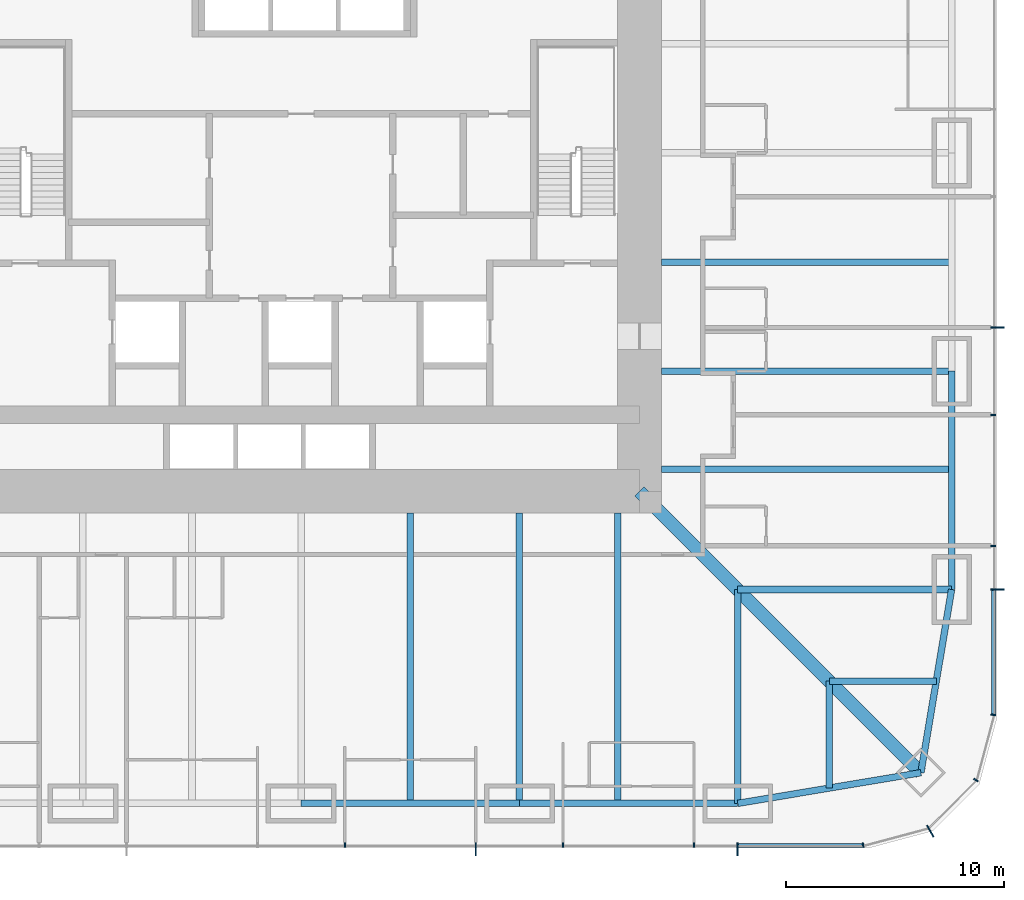
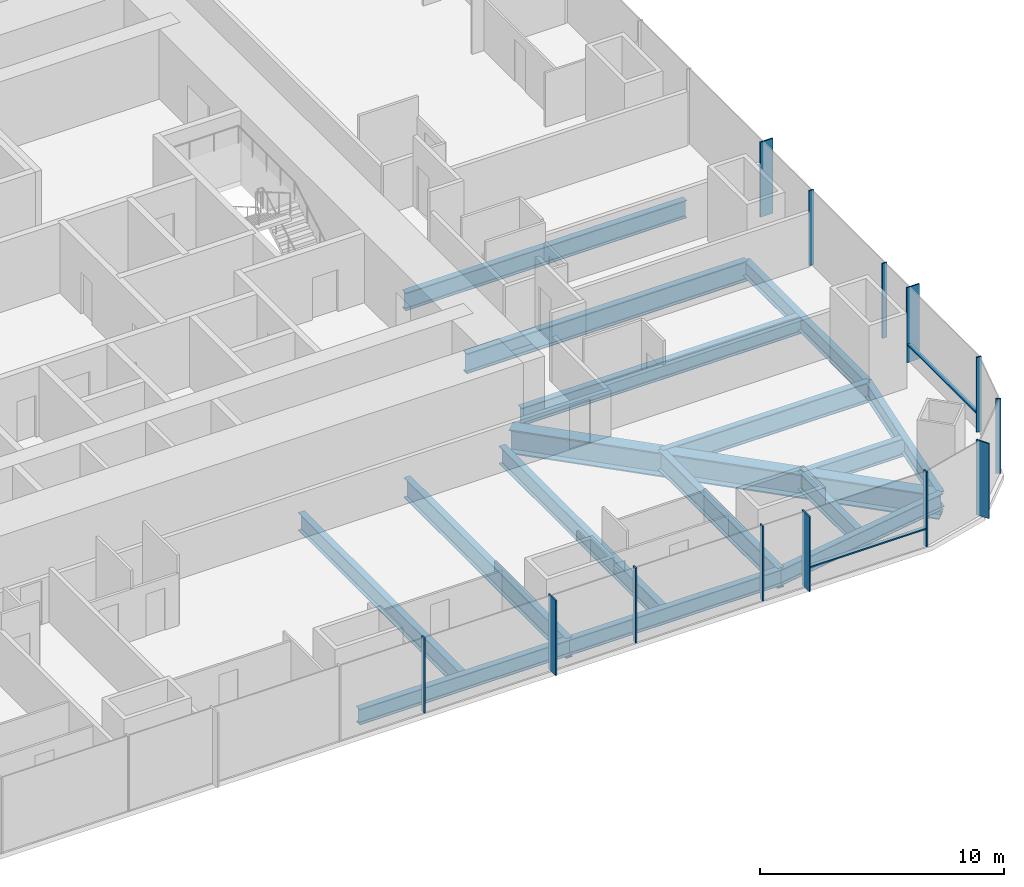
# One storey, part 4 of 17: 16 beams, 15 members, 3 elements without a shape of their own.
"""IFC4 building model written with IfcOpenShell, lengths in metres."""

from ifc_helpers import new_model, si_unit, direction, frame, origin, origin_2d, place, context, subcontext, project, spatial, rectangle, i_section, extrude, material, material_profile, profile_set, type_object, element, aggregate, save


model = new_model("IFC4")

# Units and contexts
model_context = context("Model", 3, precision=1e-05, world=origin(), true_north=direction((0.0, 1.0)))
body_context = subcontext(model_context, "Body", "Model", "MODEL_VIEW")
ifc_project = project(units=[si_unit("LENGTHUNIT", "METRE"), si_unit("AREAUNIT", "SQUARE_METRE"), si_unit("VOLUMEUNIT", "CUBIC_METRE"), si_unit("PLANEANGLEUNIT", "RADIAN"), si_unit("MASSUNIT", "GRAM", prefix="KILO")], contexts=[model_context])

# Site, building, storey
site_placement = place(None, origin())
site = spatial("IfcSite", under=ifc_project, at=site_placement, CompositionType="ELEMENT")
building_placement = place(site_placement, origin())
building = spatial("IfcBuilding", under=site, at=building_placement, Name="Khuree Lantern Residences", CompositionType="ELEMENT")
storey_placement = place(building_placement, frame((0.0, 0.0, 36.0)))
storey = spatial("IfcBuildingStorey", under=building, at=storey_placement, Name="L08", CompositionType="ELEMENT", Elevation=36.0)

# Beams
ifc_material_1 = material(Name="Steel S355", Category="steel")
ifc_material_profile_1 = material_profile(ifc_material_1, i_section(OverallWidth=0.300048828125, OverallDepth=0.889892578125, WebThickness=0.01611328125, FlangeThickness=0.030029296875, FilletRadius=0.030029296875, at=origin_2d()), Name="HE 900 A")
ifc_profile_set_1 = profile_set([ifc_material_profile_1], Name="Steel S355")
beam_type_1 = type_object("IfcBeamType", Name="B-12 SECONDARY BEAM HE 900 A", PredefinedType="BEAM", material=ifc_profile_set_1)
for number, where, z_axis, x_axis, name in (
    (1, (29.800048828125, -5.0, -0.695068359375), (-1.0, 0.0, 0.0), (0.0, -1.0, 0.0), "Secondary beam E4"),
    (2, (29.800048828125, -14.5, -0.695068359375), (-1.0, 0.0, 0.0), (0.0, -1.0, 0.0), "Secondary beam E5"),
):
    element("IfcBeam", number, at=place(storey_placement, frame(where, z_axis=z_axis, x_axis=x_axis)), inside=storey, type_object=beam_type_1, Name=name, PredefinedType="BEAM", context=body_context, shape_type="SweptSolid", body=[
        extrude(i_section(OverallWidth=0.300048828125, OverallDepth=0.889892578125, WebThickness=0.01611328125, FlangeThickness=0.030029296875, FilletRadius=0.030029296875, at=origin_2d()), origin(), (0.0, 0.0, 1.0), 13.300048828125),
    ])
for number, where, z_axis, x_axis, name in (
    (3, (29.09716796875, -24.197021484375, -0.695068359375), (-1.0, 0.0, 0.0), (0.0, -1.0, 0.0), "Secondary beam E6"),
    (4, (24.197021484375, -29.09716796875, -0.695068359375), (0.0, 1.0, 0.0), (-1.0, 0.0, 0.0), "Secondary beam S1"),
):
    element("IfcBeam", number, at=place(storey_placement, frame(where, z_axis=z_axis, x_axis=x_axis)), inside=storey, type_object=beam_type_1, Name=name, PredefinedType="BEAM", context=body_context, shape_type="SweptSolid", body=[
        extrude(i_section(OverallWidth=0.300048828125, OverallDepth=0.889892578125, WebThickness=0.01611328125, FlangeThickness=0.030029296875, FilletRadius=0.030029296875, at=origin_2d()), origin(), (0.0, 0.0, 1.0), 4.900146484375),
    ])
for number, where, z_axis, x_axis, name in (
    (5, (14.5, -29.800048828125, -0.695068359375), (0.0, 1.0, 0.0), (-1.0, 0.0, 0.0), "Secondary beam S2"),
    (6, (5.0, -29.800048828125, -0.695068359375), (0.0, 1.0, 0.0), (-1.0, 0.0, 0.0), "Secondary beam S3"),
):
    element("IfcBeam", number, at=place(storey_placement, frame(where, z_axis=z_axis, x_axis=x_axis)), inside=storey, type_object=beam_type_1, Name=name, PredefinedType="BEAM", context=body_context, shape_type="SweptSolid", body=[
        extrude(i_section(OverallWidth=0.300048828125, OverallDepth=0.889892578125, WebThickness=0.01611328125, FlangeThickness=0.030029296875, FilletRadius=0.030029296875, at=origin_2d()), origin(), (0.0, 0.0, 1.0), 13.300048828125),
    ])
ifc_material_profile_2 = material_profile(ifc_material_1, i_section(OverallWidth=0.300048828125, OverallDepth=0.7900390625, WebThickness=0.014892578125, FlangeThickness=0.028076171875, FilletRadius=0.030029296875, at=origin_2d()), Name="HE 800 A")
ifc_profile_set_2 = profile_set([ifc_material_profile_2], Name="Steel S355")
beam_type_2 = type_object("IfcBeamType", Name="E-12 SPANDREL BEAM HE 800 A", PredefinedType="SPANDREL", material=ifc_profile_set_2)
beam_1_placement = place(storey_placement, frame((29.800048828125, -10.0, -0.64501953125), z_axis=(0.0, -1.0, 0.0), x_axis=(1.0, 0.0, 0.0)))
element("IfcBeam", 7, at=beam_1_placement, inside=storey, type_object=beam_type_2, Name="Spandrel beam E5", PredefinedType="SPANDREL", context=body_context, shape_type="SweptSolid", body=[
    extrude(i_section(OverallWidth=0.300048828125, OverallDepth=0.7900390625, WebThickness=0.014892578125, FlangeThickness=0.028076171875, FilletRadius=0.030029296875, at=origin_2d()), origin(), (0.0, 0.0, 1.0), 10.0),
])
for number, where, z_axis, x_axis, name in (
    (8, (29.800048828125, -20.0, -0.64501953125), (-0.165199022349, -0.986260251158, 0.0), (0.986260251158, -0.165199022349, 0.0), "Spandrel beam E6"),
    (9, (28.39404296875, -28.39404296875, -0.64501953125), (-0.986260251158, -0.165199022349, 0.0), (0.165199022349, -0.986260251158, 0.0), "Spandrel beam S1"),
):
    element("IfcBeam", number, at=place(storey_placement, frame(where, z_axis=z_axis, x_axis=x_axis)), inside=storey, type_object=beam_type_2, Name=name, PredefinedType="SPANDREL", context=body_context, shape_type="SweptSolid", body=[
        extrude(i_section(OverallWidth=0.300048828125, OverallDepth=0.7900390625, WebThickness=0.014892578125, FlangeThickness=0.028076171875, FilletRadius=0.030029296875, at=origin_2d()), origin(), (0.0, 0.0, 1.0), 8.510986328125),
    ])
for number, where, z_axis, x_axis, name in (
    (10, (20.0, -29.800048828125, -0.64501953125), (-1.0, 0.0, 0.0), (0.0, -1.0, 0.0), "Spandrel beam S2"),
    (11, (10.0, -29.800048828125, -0.64501953125), (-1.0, 0.0, 0.0), (0.0, -1.0, 0.0), "Spandrel beam S3"),
):
    element("IfcBeam", number, at=place(storey_placement, frame(where, z_axis=z_axis, x_axis=x_axis)), inside=storey, type_object=beam_type_2, Name=name, PredefinedType="SPANDREL", context=body_context, shape_type="SweptSolid", body=[
        extrude(i_section(OverallWidth=0.300048828125, OverallDepth=0.7900390625, WebThickness=0.014892578125, FlangeThickness=0.028076171875, FilletRadius=0.030029296875, at=origin_2d()), origin(), (0.0, 0.0, 1.0), 10.0),
    ])

# Curtain wall, member
ifc_material_2 = material(Name="Bronze anodised aluminium", Category="aluminium")
curtain_wall_type_1 = type_object("IfcCurtainWallType", Name="CW-T2 TOWER CORNER CURTAIN WALL", PredefinedType="USERDEFINED", material=ifc_material_2)
curtain_wall_1_placement = place(storey_placement, origin())
curtain_wall_1 = element("IfcCurtainWall", 12, at=curtain_wall_1_placement, inside=storey, type_object=curtain_wall_type_1, Name="L08 SOUTH-EAST CORNER CURTAIN WALL", ObjectType="Faceted corner curtain wall", PredefinedType="USERDEFINED")
ifc_material_profile_3 = material_profile(ifc_material_2, rectangle(XDim=0.06494140625, YDim=0.60009765625, at=origin_2d()), Name="F1 65X600")
ifc_profile_set_3 = profile_set([ifc_material_profile_3], Name="Bronze anodised aluminium")
member_type_1 = type_object("IfcMemberType", Name="F1 BRONZE FIN MULLION TOWER 65X600", PredefinedType="MULLION", material=ifc_profile_set_3)
member_1_placement = place(storey_placement, frame((28.824951171875, -31.076171875, 0.0), z_axis=(0.0, 0.0, 1.0), x_axis=(0.86602537092, 0.500000056923, 0.0)))
member_1 = element("IfcMember", 13, at=member_1_placement, type_object=member_type_1, Name="L08 SOUTH-EAST CORNER FIN MULLION 2", PredefinedType="MULLION", context=body_context, shape_type="SweptSolid", body=[
    extrude(rectangle(XDim=0.06494140625, YDim=0.60009765625, at=origin_2d()), origin(), (0.0, 0.0, 1.0), 3.75),
])

# Curtain wall, members
curtain_wall_type_2 = type_object("IfcCurtainWallType", Name="CW-T1 TOWER FACE CURTAIN WALL", PredefinedType="USERDEFINED", material=ifc_material_2)
curtain_wall_2_placement = place(storey_placement, origin())
curtain_wall_2 = element("IfcCurtainWall", 14, at=curtain_wall_2_placement, inside=storey, type_object=curtain_wall_type_2, Name="L08 EAST FACE CURTAIN WALL", ObjectType="Stick-built curtain wall", PredefinedType="USERDEFINED")
member_2_placement = place(storey_placement, frame((31.89990234375, -20.0, 0.0), z_axis=(0.0, 0.0, 1.0), x_axis=(0.0, 1.0, 0.0)))
member_2 = element("IfcMember", 15, at=member_2_placement, type_object=member_type_1, Name="L08 EAST FACE FIN MULLION 5", PredefinedType="MULLION", context=body_context, shape_type="SweptSolid", body=[
    extrude(rectangle(XDim=0.06494140625, YDim=0.60009765625, at=origin_2d()), origin(), (0.0, 0.0, 1.0), 3.75),
])
member_3_placement = place(storey_placement, frame((31.89990234375, -8.0, 0.0), z_axis=(0.0, 0.0, 1.0), x_axis=(0.0, 1.0, 0.0)))
member_3 = element("IfcMember", 16, at=member_3_placement, type_object=member_type_1, Name="L08 EAST FACE FIN MULLION 8", PredefinedType="MULLION", context=body_context, shape_type="SweptSolid", body=[
    extrude(rectangle(XDim=0.06494140625, YDim=0.60009765625, at=origin_2d()), origin(), (0.0, 0.0, 1.0), 3.75),
])

curtain_wall_3_placement = place(storey_placement, origin())
curtain_wall_3 = element("IfcCurtainWall", 17, at=curtain_wall_3_placement, inside=storey, type_object=curtain_wall_type_2, Name="L08 SOUTH FACE CURTAIN WALL", ObjectType="Stick-built curtain wall", PredefinedType="USERDEFINED")
member_4_placement = place(storey_placement, frame((8.0, -31.89990234375, 0.0), z_axis=(0.0, 0.0, 1.0), x_axis=(1.0, 0.0, 0.0)))
member_4 = element("IfcMember", 18, at=member_4_placement, type_object=member_type_1, Name="L08 SOUTH FACE FIN MULLION 53", PredefinedType="MULLION", context=body_context, shape_type="SweptSolid", body=[
    extrude(rectangle(XDim=0.06494140625, YDim=0.60009765625, at=origin_2d()), origin(), (0.0, 0.0, 1.0), 3.75),
])
member_5_placement = place(storey_placement, frame((20.0, -31.89990234375, 0.0), z_axis=(0.0, 0.0, 1.0), x_axis=(1.0, 0.0, 0.0)))
member_5 = element("IfcMember", 19, at=member_5_placement, type_object=member_type_1, Name="L08 SOUTH FACE FIN MULLION 56", PredefinedType="MULLION", context=body_context, shape_type="SweptSolid", body=[
    extrude(rectangle(XDim=0.06494140625, YDim=0.60009765625, at=origin_2d()), origin(), (0.0, 0.0, 1.0), 3.75),
])

# Beams
ifc_material_profile_4 = material_profile(ifc_material_1, i_section(OverallWidth=0.302001953125, OverallDepth=1.008056640625, WebThickness=0.02099609375, FlangeThickness=0.0400390625, FilletRadius=0.030029296875, at=origin_2d()), Name="HE 1000 M")
ifc_profile_set_4 = profile_set([ifc_material_profile_4], Name="Steel S355")
beam_type_3 = type_object("IfcBeamType", Name="G-12 GIRDER HE 1000 M", PredefinedType="BEAM", material=ifc_profile_set_4)
beam_2_placement = place(storey_placement, frame((29.800048828125, -10.0, -0.75390625), z_axis=(-1.0, 0.0, 0.0), x_axis=(0.0, -1.0, 0.0)))
element("IfcBeam", 20, at=beam_2_placement, inside=storey, type_object=beam_type_3, Name="Girder E4", PredefinedType="BEAM", context=body_context, shape_type="SweptSolid", body=[
    extrude(i_section(OverallWidth=0.302001953125, OverallDepth=1.008056640625, WebThickness=0.02099609375, FlangeThickness=0.0400390625, FilletRadius=0.030029296875, at=origin_2d()), origin(), (0.0, 0.0, 1.0), 13.300048828125),
])
for number, where, z_axis, x_axis, name in (
    (21, (29.800048828125, -20.0, -0.75390625), (-1.0, 0.0, 0.0), (0.0, -1.0, 0.0), "Girder E5"),
    (22, (20.0, -29.800048828125, -0.75390625), (0.0, 1.0, 0.0), (-1.0, 0.0, 0.0), "Girder S1"),
):
    element("IfcBeam", number, at=place(storey_placement, frame(where, z_axis=z_axis, x_axis=x_axis)), inside=storey, type_object=beam_type_3, Name=name, PredefinedType="BEAM", context=body_context, shape_type="SweptSolid", body=[
        extrude(i_section(OverallWidth=0.302001953125, OverallDepth=1.008056640625, WebThickness=0.02099609375, FlangeThickness=0.0400390625, FilletRadius=0.030029296875, at=origin_2d()), origin(), (0.0, 0.0, 1.0), 9.800048828125),
    ])
beam_3_placement = place(storey_placement, frame((10.0, -29.800048828125, -0.75390625), z_axis=(0.0, 1.0, 0.0), x_axis=(-1.0, 0.0, 0.0)))
element("IfcBeam", 23, at=beam_3_placement, inside=storey, type_object=beam_type_3, Name="Girder S2", PredefinedType="BEAM", context=body_context, shape_type="SweptSolid", body=[
    extrude(i_section(OverallWidth=0.302001953125, OverallDepth=1.008056640625, WebThickness=0.02099609375, FlangeThickness=0.0400390625, FilletRadius=0.030029296875, at=origin_2d()), origin(), (0.0, 0.0, 1.0), 13.300048828125),
])
ifc_material_profile_5 = material_profile(ifc_material_1, i_section(OverallWidth=0.60009765625, OverallDepth=1.199951171875, WebThickness=0.030029296875, FlangeThickness=0.06005859375, at=origin_2d()), Name="WELDED I 1200X600X30X60")
ifc_profile_set_5 = profile_set([ifc_material_profile_5], Name="Steel S355")
beam_type_4 = type_object("IfcBeamType", Name="GD-12 CORNER GIRDER WELDED I 1200X600X30X60", PredefinedType="BEAM", material=ifc_profile_set_5)
beam_4_placement = place(storey_placement, frame((28.39404296875, -28.39404296875, -0.85009765625), z_axis=(-0.707106781187, 0.707106781187, 0.0), x_axis=(-0.707106781187, -0.707106781187, 0.0)))
element("IfcBeam", 24, at=beam_4_placement, inside=storey, type_object=beam_type_4, Name="Corner girder SE", PredefinedType="BEAM", context=body_context, shape_type="SweptSolid", body=[
    extrude(i_section(OverallWidth=0.60009765625, OverallDepth=1.199951171875, WebThickness=0.030029296875, FlangeThickness=0.06005859375, at=origin_2d()), origin(), (0.0, 0.0, 1.0), 18.23486328125),
])

# Member
ifc_material_profile_6 = material_profile(ifc_material_2, rectangle(XDim=0.06494140625, YDim=0.219970703125, at=origin_2d()), Name="M1 65X220")
ifc_profile_set_6 = profile_set([ifc_material_profile_6], Name="Bronze anodised aluminium")
member_type_2 = type_object("IfcMemberType", Name="M1 BRONZE MULLION TOWER 65X220", PredefinedType="MULLION", material=ifc_profile_set_6)
member_6_placement = place(storey_placement, frame((25.744873046875, -31.711669921875, 0.0), z_axis=(0.0, 0.0, 1.0), x_axis=(0.991444852794, 0.130526257387, 0.0)))
member_6 = element("IfcMember", 25, at=member_6_placement, type_object=member_type_2, Name="L08 SOUTH-EAST CORNER MULLION 1", PredefinedType="MULLION", context=body_context, shape_type="SweptSolid", body=[
    extrude(rectangle(XDim=0.06494140625, YDim=0.219970703125, at=origin_2d()), origin(), (0.0, 0.0, 1.0), 3.75),
])

member_7_placement = place(storey_placement, frame((30.91162109375, -28.72998046875, 0.0), z_axis=(0.0, 0.0, 1.0), x_axis=(0.500000056923, 0.86602537092, 0.0)))
member_7 = element("IfcMember", 26, at=member_7_placement, type_object=member_type_2, Name="L08 SOUTH-EAST CORNER MULLION 3", PredefinedType="MULLION", context=body_context, shape_type="SweptSolid", body=[
    extrude(rectangle(XDim=0.06494140625, YDim=0.219970703125, at=origin_2d()), origin(), (0.0, 0.0, 1.0), 3.75),
])

aggregate(curtain_wall_1, [member_6, member_1, member_7])

member_8_placement = place(storey_placement, frame((31.711669921875, -25.744873046875, 0.0), z_axis=(0.0, 0.0, 1.0), x_axis=(0.130526257387, 0.991444852794, 0.0)))
member_8 = element("IfcMember", 27, at=member_8_placement, type_object=member_type_2, Name="L08 EAST FACE MULLION 4", PredefinedType="MULLION", context=body_context, shape_type="SweptSolid", body=[
    extrude(rectangle(XDim=0.06494140625, YDim=0.219970703125, at=origin_2d()), origin(), (0.0, 0.0, 1.0), 3.75),
])

member_9_placement = place(storey_placement, frame((31.7099609375, -18.0, 0.0), z_axis=(0.0, 0.0, 1.0), x_axis=(0.0, 1.0, 0.0)))
member_9 = element("IfcMember", 28, at=member_9_placement, type_object=member_type_2, Name="L08 EAST FACE MULLION 6", PredefinedType="MULLION", context=body_context, shape_type="SweptSolid", body=[
    extrude(rectangle(XDim=0.06494140625, YDim=0.219970703125, at=origin_2d()), origin(), (0.0, 0.0, 1.0), 3.75),
])

member_10_placement = place(storey_placement, frame((31.7099609375, -12.0, 0.0), z_axis=(0.0, 0.0, 1.0), x_axis=(0.0, 1.0, 0.0)))
member_10 = element("IfcMember", 29, at=member_10_placement, type_object=member_type_2, Name="L08 EAST FACE MULLION 7", PredefinedType="MULLION", context=body_context, shape_type="SweptSolid", body=[
    extrude(rectangle(XDim=0.06494140625, YDim=0.219970703125, at=origin_2d()), origin(), (0.0, 0.0, 1.0), 3.75),
])

member_11_placement = place(storey_placement, frame((2.0, -31.7099609375, 0.0), z_axis=(0.0, 0.0, 1.0), x_axis=(1.0, 0.0, 0.0)))
member_11 = element("IfcMember", 30, at=member_11_placement, type_object=member_type_2, Name="L08 SOUTH FACE MULLION 52", PredefinedType="MULLION", context=body_context, shape_type="SweptSolid", body=[
    extrude(rectangle(XDim=0.06494140625, YDim=0.219970703125, at=origin_2d()), origin(), (0.0, 0.0, 1.0), 3.75),
])

member_12_placement = place(storey_placement, frame((12.0, -31.7099609375, 0.0), z_axis=(0.0, 0.0, 1.0), x_axis=(1.0, 0.0, 0.0)))
member_12 = element("IfcMember", 31, at=member_12_placement, type_object=member_type_2, Name="L08 SOUTH FACE MULLION 54", PredefinedType="MULLION", context=body_context, shape_type="SweptSolid", body=[
    extrude(rectangle(XDim=0.06494140625, YDim=0.219970703125, at=origin_2d()), origin(), (0.0, 0.0, 1.0), 3.75),
])

member_13_placement = place(storey_placement, frame((18.0, -31.7099609375, 0.0), z_axis=(0.0, 0.0, 1.0), x_axis=(1.0, 0.0, 0.0)))
member_13 = element("IfcMember", 32, at=member_13_placement, type_object=member_type_2, Name="L08 SOUTH FACE MULLION 55", PredefinedType="MULLION", context=body_context, shape_type="SweptSolid", body=[
    extrude(rectangle(XDim=0.06494140625, YDim=0.219970703125, at=origin_2d()), origin(), (0.0, 0.0, 1.0), 3.75),
])

ifc_material_profile_7 = material_profile(ifc_material_2, rectangle(XDim=0.179931640625, YDim=0.06494140625, at=origin_2d()), Name="T1 180X65")
ifc_profile_set_7 = profile_set([ifc_material_profile_7], Name="Bronze anodised aluminium")
member_type_3 = type_object("IfcMemberType", Name="TRANSOM T1 TOWER 180X65", PredefinedType="USERDEFINED", material=ifc_profile_set_7)
member_14_placement = place(storey_placement, frame((31.719970703125, -25.701416015625, 0.89990234375), z_axis=(0.0, 1.0, 0.0), x_axis=(-1.0, 0.0, 0.0)))
member_14 = element("IfcMember", 33, at=member_14_placement, type_object=member_type_3, Name="L08 EAST FACE TRANSOM 4.1", ObjectType="Transom", PredefinedType="USERDEFINED", context=body_context, shape_type="SweptSolid", body=[
    extrude(rectangle(XDim=0.179931640625, YDim=0.06494140625, at=origin_2d()), origin(), (0.0, 0.0, 1.0), 5.6689453125),
])

aggregate(curtain_wall_2, [member_8, member_2, member_9, member_10, member_3, member_14])

member_15_placement = place(storey_placement, frame((20.032470703125, -31.719970703125, 0.89990234375), z_axis=(1.0, 0.0, 0.0), x_axis=(0.0, 1.0, 0.0)))
member_15 = element("IfcMember", 34, at=member_15_placement, type_object=member_type_3, Name="L08 SOUTH FACE TRANSOM 56.1", ObjectType="Transom", PredefinedType="USERDEFINED", context=body_context, shape_type="SweptSolid", body=[
    extrude(rectangle(XDim=0.179931640625, YDim=0.06494140625, at=origin_2d()), origin(), (0.0, 0.0, 1.0), 5.6689453125),
])

aggregate(curtain_wall_3, [member_11, member_4, member_12, member_13, member_5, member_15])

save(model, "model.ifc")
